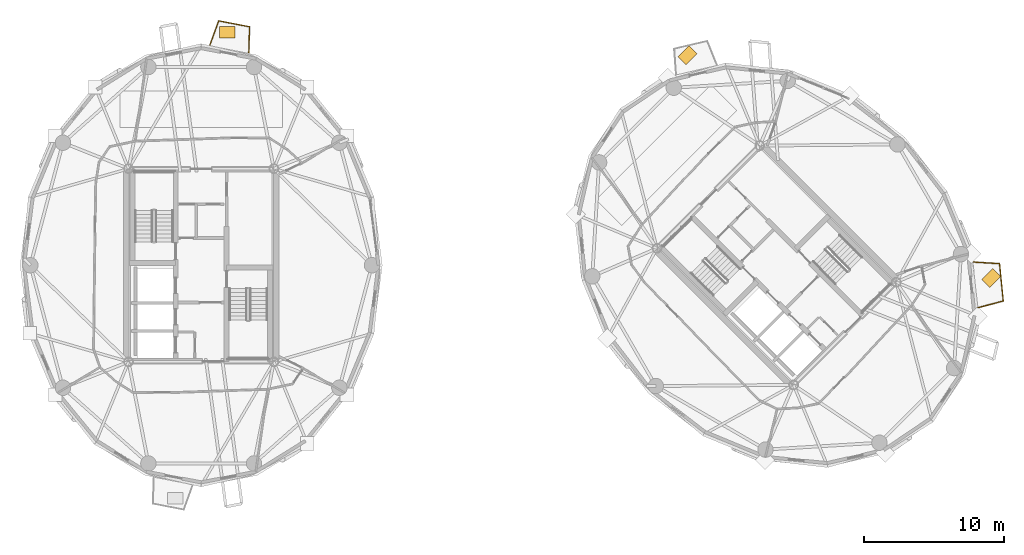
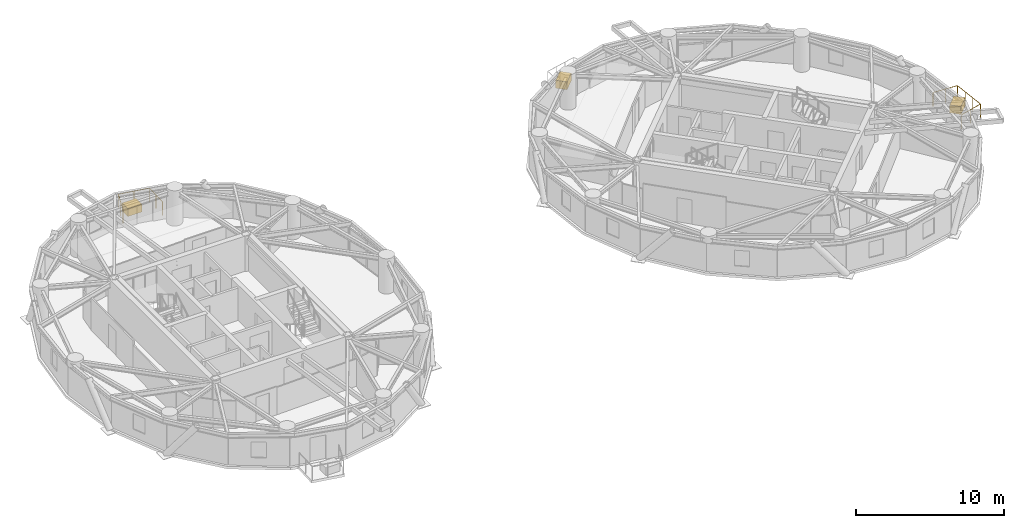
# One storey, part 16 of 16: 3 coverings, 2 railings.
"""IFC4 building model written with IfcOpenShell, lengths in metres."""

from ifc_helpers import new_model, si_unit, direction, frame, origin, origin_2d, place, context, subcontext, project, spatial, rectangle, circle, extrude, source, transform, mapped, material, layer, layer_set, type_object, element, save


model = new_model("IFC4")

# Units and contexts
model_context = context("Model", 3, precision=1e-05, world=origin(), true_north=direction((0.0, 1.0)))
body_context = subcontext(model_context, "Body", "Model", "MODEL_VIEW")
ifc_project = project(units=[si_unit("LENGTHUNIT", "METRE"), si_unit("AREAUNIT", "SQUARE_METRE"), si_unit("VOLUMEUNIT", "CUBIC_METRE"), si_unit("PLANEANGLEUNIT", "RADIAN"), si_unit("MASSUNIT", "GRAM", prefix="KILO")], contexts=[model_context])

# Site, building, storey
site_placement = place(None, origin())
site = spatial("IfcSite", under=ifc_project, at=site_placement, CompositionType="ELEMENT")
building_placement = place(site_placement, origin())
building = spatial("IfcBuilding", under=site, at=building_placement, Name="Cununo Teusaquillo Station Towers", CompositionType="ELEMENT")
storey_placement = place(building_placement, frame((0.0, 0.0, 196.659912109375)))
storey = spatial("IfcBuildingStorey", under=building, at=storey_placement, Name="L62", CompositionType="ELEMENT", Elevation=196.659912109375)

# Railings
ifc_material_1 = material(Name="Anodised dark bronze aluminium EN AW-6063-T6", Category="aluminium")
railing_type = type_object("IfcRailingType", Name="RL-EXT-GUARD", PredefinedType="GUARDRAIL", material=ifc_material_1)
railing_1_placement = place(storey_placement, frame((17.115234375, 40.180419921875, 0.0)))
element("IfcRailing", 1, at=railing_1_placement, inside=storey, type_object=railing_type, Name="L62 Tower A Balcony Guardrail C04", PredefinedType="GUARDRAIL", context=body_context, shape_type="SweptSolid", body=[
    extrude(circle(Radius=0.02392578125, at=origin_2d()), frame((0.0, 0.0, 1.1259765625), z_axis=(0.344196323776, 0.938897699805, 0.0), x_axis=(-0.938897699805, 0.344196323776, 0.0)), (0.0, 0.0, 1.0), 1.844970703125),
    extrude(circle(Radius=0.02392578125, at=origin_2d()), frame((0.635009765625, 1.732177734375, 1.1259765625), z_axis=(0.981834932982, -0.18973709278, 0.0), x_axis=(0.18973709278, 0.981834932982, 0.0)), (0.0, 0.0, 1.0), 2.239013671875),
    extrude(circle(Radius=0.02392578125, at=origin_2d()), frame((2.833251953125, 1.307373046875, 1.1259765625), z_axis=(-0.030305152758, -0.999540693377, 0.0), x_axis=(0.999540693377, -0.030305152758, 0.0)), (0.0, 0.0, 1.0), 1.8447265625),
    extrude(circle(Radius=0.02099609375, at=origin_2d()), origin(), (0.0, 0.0, 1.0), 1.101806640625),
    extrude(circle(Radius=0.02099609375, at=origin_2d()), frame((0.3173828125, 0.8662109375, 0.0)), (0.0, 0.0, 1.0), 1.101806640625),
    extrude(circle(Radius=0.02099609375, at=origin_2d()), frame((0.635009765625, 1.732177734375, 0.0)), (0.0, 0.0, 1.0), 1.101806640625),
    extrude(circle(Radius=0.02099609375, at=origin_2d()), frame((1.734130859375, 1.519775390625, 0.0)), (0.0, 0.0, 1.0), 1.101806640625),
    extrude(circle(Radius=0.02099609375, at=origin_2d()), frame((2.833251953125, 1.307373046875, 0.0)), (0.0, 0.0, 1.0), 1.101806640625),
    extrude(circle(Radius=0.02099609375, at=origin_2d()), frame((2.80517578125, 0.38525390625, 0.0)), (0.0, 0.0, 1.0), 1.101806640625),
    extrude(circle(Radius=0.02099609375, at=origin_2d()), frame((2.77734375, -0.53662109375, 0.0)), (0.0, 0.0, 1.0), 1.101806640625),
])
railing_2_placement = place(storey_placement, frame((71.53662109375, 24.726806640625, 0.0)))
element("IfcRailing", 2, at=railing_2_placement, inside=storey, type_object=railing_type, Name="L62 Tower B Balcony Guardrail C17", PredefinedType="GUARDRAIL", context=body_context, shape_type="SweptSolid", body=[
    extrude(circle(Radius=0.02392578125, at=origin_2d()), frame((0.0, 0.0, 1.1259765625), z_axis=(0.998099930185, -0.061615983027, 0.0), x_axis=(0.061615983027, 0.998099930185, 0.0)), (0.0, 0.0, 1.0), 1.854248046875),
    extrude(circle(Radius=0.02392578125, at=origin_2d()), frame((1.850830078125, -0.1142578125, 1.1259765625), z_axis=(0.098635601058, -0.995123619559, 0.0), x_axis=(0.995123619559, 0.098635601058, 0.0)), (0.0, 0.0, 1.0), 2.673095703125),
    extrude(circle(Radius=0.02392578125, at=origin_2d()), frame((2.114501953125, -2.7744140625, 1.1259765625), z_axis=(-0.966566218565, -0.256417131113, 0.0), x_axis=(0.256417131113, -0.966566218565, 0.0)), (0.0, 0.0, 1.0), 1.854736328125),
    extrude(circle(Radius=0.02099609375, at=origin_2d()), origin(), (0.0, 0.0, 1.0), 1.101806640625),
    extrude(circle(Radius=0.02099609375, at=origin_2d()), frame((0.92529296875, -0.05712890625, 0.0)), (0.0, 0.0, 1.0), 1.101806640625),
    extrude(circle(Radius=0.02099609375, at=origin_2d()), frame((1.850830078125, -0.1142578125, 0.0)), (0.0, 0.0, 1.0), 1.101806640625),
    extrude(circle(Radius=0.02099609375, at=origin_2d()), frame((1.938720703125, -1.0009765625, 0.0)), (0.0, 0.0, 1.0), 1.101806640625),
    extrude(circle(Radius=0.02099609375, at=origin_2d()), frame((2.026611328125, -1.8876953125, 0.0)), (0.0, 0.0, 1.0), 1.101806640625),
    extrude(circle(Radius=0.02099609375, at=origin_2d()), frame((2.114501953125, -2.7744140625, 0.0)), (0.0, 0.0, 1.0), 1.101806640625),
    extrude(circle(Radius=0.02099609375, at=origin_2d()), frame((1.21826171875, -3.01220703125, 0.0)), (0.0, 0.0, 1.0), 1.101806640625),
    extrude(circle(Radius=0.02099609375, at=origin_2d()), frame((0.32177734375, -3.25, 0.0)), (0.0, 0.0, 1.0), 1.101806640625),
])

# Coverings
ifc_material_2 = material(Name="Architectural GRC planter shell and engineered root-zone substrate", Category="concrete")
ifc_layer = layer(ifc_material_2, 0.64990234375)
ifc_layer_set = layer_set([ifc_layer], Name="Architectural GRC planter shell and engineered root-zone substrate")
covering_type = type_object("IfcCoveringType", Name="COV-TREE-PLANTER", PredefinedType="CLADDING", material=ifc_layer_set)
shared_shape = source(origin(), body_context, "Body", "SweptSolid", [
    extrude(rectangle(XDim=1.10009765625, YDim=0.800048828125, at=origin_2d()), origin(), (0.0, 0.0, 1.0), 0.64990234375),
])
for number, where, z_axis, x_axis, name in (
    (3, (18.341796875, 41.102783203125, 0.000244140625), (0.0, 0.0, 1.0), (1.0, 0.0, 0.0), "L62 Tower A Balcony Tree PLANTER C04"),
    (4, (51.147705078125, 39.46240234375, 0.000244140625), (0.0, 0.0, 1.0), (0.707106781187, 0.707106781187, 0.0), "L62 Tower B Balcony Tree PLANTER C03"),
    (5, (72.79638671875, 23.59765625, 0.000244140625), (0.0, 0.0, 1.0), (0.707106781187, 0.707106781187, 0.0), "L62 Tower B Balcony Tree PLANTER C17"),
):
    element("IfcCovering", number, at=place(storey_placement, frame(where, z_axis=z_axis, x_axis=x_axis)), inside=storey, type_object=covering_type, Name=name, PredefinedType="CLADDING", context=body_context, shape_type="MappedRepresentation", body=[
        mapped(shared_shape, transform((0.0, 0.0, 0.0), x_axis=(1.0, 0.0, 0.0), y_axis=(0.0, 1.0, 0.0), z_axis=(0.0, 0.0, 1.0), scale=1.0)),
    ])

save(model, "model.ifc")
